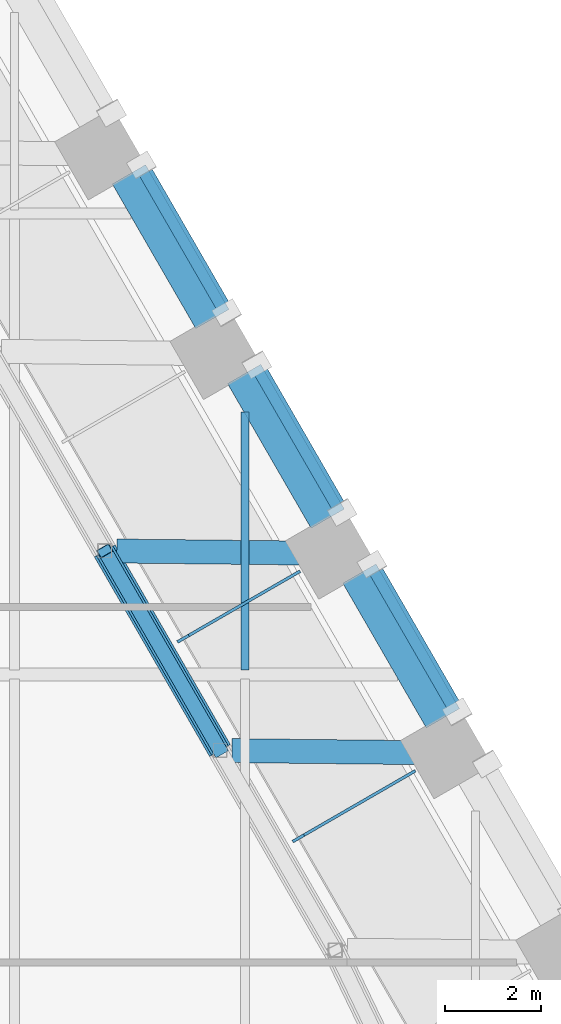
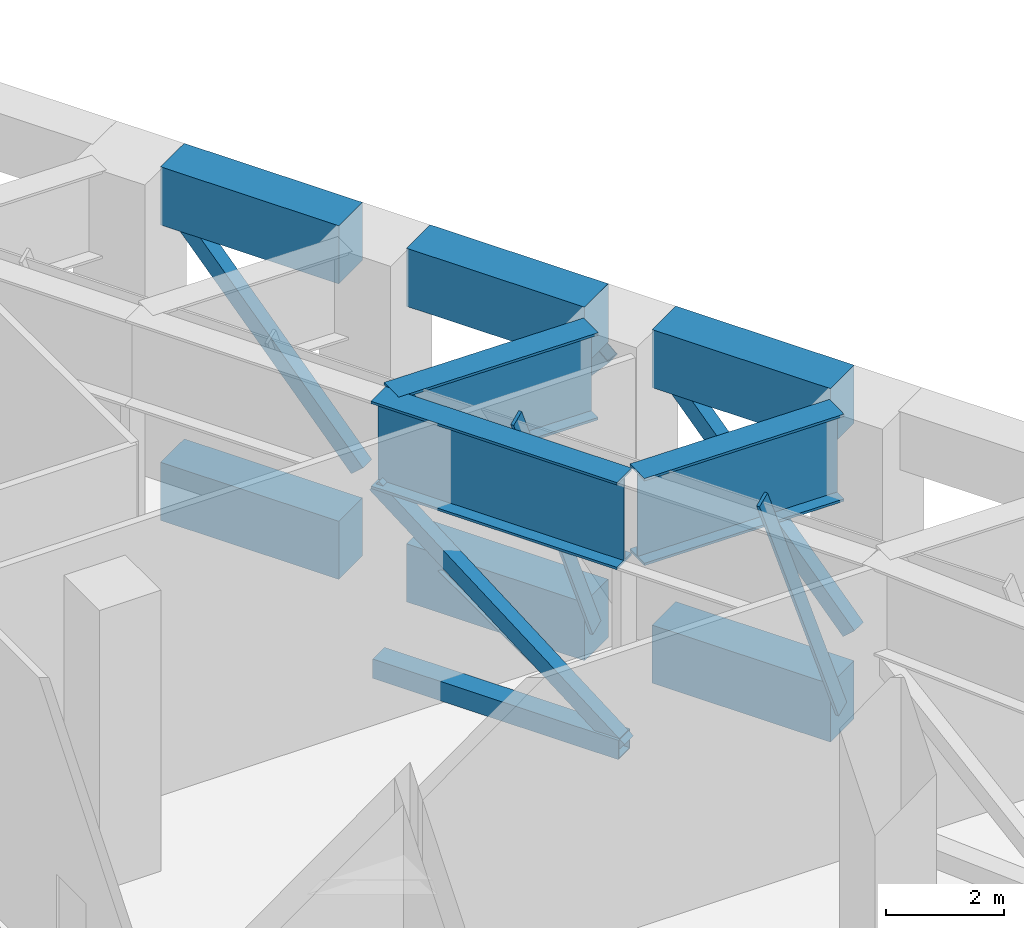
# One storey, part 13 of 35: 10 beams, 7 members, 1 element without a shape of its own.
"""IFC4 building model written with IfcOpenShell, lengths in metres."""

import ifcopenshell
import ifcopenshell.guid

model = None  # the IFC model being written
_history = None  # IfcOwnerHistory: only IFC2X3 demands one
_inside = {}  # id of a spatial element -> (the spatial element, [elements in it])
_under = {}  # id of a project, library or spatial element -> (it, [spatial elements below it])
_declared = {}  # id of a project -> (the project, [libraries it declares])
_typed = {}  # id of a type object -> (the type object, [elements of that type])
_made_of = {}  # id of a material, layer set ... -> (it, [elements and type objects made of it])


def new_model(schema):
    """Start an empty IFC model of exactly this schema.

    Asked for "IFC4X3", IfcOpenShell would pick the latest addendum, in which some entities
    have other attributes; the version numbers below select the first issue.
    IFC2X3 requires an IfcOwnerHistory on every rooted entity: one is made here for all.
    """
    global model, _history
    if schema == "IFC4X3":
        model = ifcopenshell.file(schema_version=(4, 3, 0, 0))
    else:
        model = ifcopenshell.file(schema=schema)
    _inside.clear()
    _under.clear()
    _declared.clear()
    _typed.clear()
    _made_of.clear()
    _history = None
    if model.schema == "IFC2X3":
        org = make("IfcOrganization", Name="unknown")
        user = make(
            "IfcPersonAndOrganization",
            ThePerson=make("IfcPerson", FamilyName="unknown"),
            TheOrganization=org,
        )
        app = make(
            "IfcApplication",
            ApplicationDeveloper=org,
            Version="unknown",
            ApplicationFullName="unknown",
            ApplicationIdentifier="unknown",
        )
        _history = make(
            "IfcOwnerHistory",
            OwningUser=user,
            OwningApplication=app,
            ChangeAction="ADDED",
            CreationDate=0,
        )
    return model


def make(cls, **values):
    """One entity of the class cls with the attributes given. An attribute that is None is left unset."""
    return model.create_entity(
        cls, **{name: value for name, value in values.items() if value is not None}
    )


def rooted(cls, **values):
    """An entity with a GlobalId (a new one), such as an element, a storey or a relation."""
    return make(cls, GlobalId=ifcopenshell.guid.new(), OwnerHistory=_history, **values)


def si_unit(unit_type, name, prefix=None):
    """IfcSIUnit, for example si_unit("LENGTHUNIT", "METRE", prefix="MILLI")."""
    return make("IfcSIUnit", UnitType=unit_type, Prefix=prefix, Name=name)


def assignment(units):
    """IfcUnitAssignment: the units of a project."""
    return None if units is None else make("IfcUnitAssignment", Units=units)


def point(xyz):
    """IfcCartesianPoint."""
    return None if xyz is None else make("IfcCartesianPoint", Coordinates=xyz)


def direction(xyz):
    """IfcDirection."""
    return None if xyz is None else make("IfcDirection", DirectionRatios=xyz)


def frame(location, z_axis=None, x_axis=None):
    """IfcAxis2Placement3D, a coordinate frame: its origin and axes. An axis left out is left unset."""
    return make(
        "IfcAxis2Placement3D",
        Location=point(location),
        Axis=direction(z_axis),
        RefDirection=direction(x_axis),
    )


def frame_2d(location, x_axis=None):
    """IfcAxis2Placement2D, a coordinate frame in the plane: its origin and x axis."""
    return make(
        "IfcAxis2Placement2D", Location=point(location), RefDirection=direction(x_axis)
    )


def origin():
    """The frame at (0, 0, 0) with its axes left unset."""
    return frame((0.0, 0.0, 0.0))


def origin_2d():
    """The frame at (0, 0) in the plane with its x axis left unset."""
    return frame_2d((0.0, 0.0))


def place(relative_to, where):
    """IfcLocalPlacement: puts the frame where relative to a parent placement (None: the world)."""
    return make(
        "IfcLocalPlacement", PlacementRelTo=relative_to, RelativePlacement=where
    )


def context(
    kind, dimensions, precision=None, world=None, true_north=None, identifier=None
):
    """IfcGeometricRepresentationContext, for example the 3D "Model" context."""
    return make(
        "IfcGeometricRepresentationContext",
        ContextIdentifier=identifier,
        ContextType=kind,
        CoordinateSpaceDimension=dimensions,
        Precision=precision,
        WorldCoordinateSystem=world,
        TrueNorth=true_north,
    )


def subcontext(parent, identifier, kind, view, scale=None):
    """IfcGeometricRepresentationSubContext, for example "Body" below "Model"."""
    return make(
        "IfcGeometricRepresentationSubContext",
        ContextIdentifier=identifier,
        ContextType=kind,
        ParentContext=parent,
        TargetScale=scale,
        TargetView=view,
    )


def project(units=None, contexts=None):
    """IfcProject with its units and contexts."""
    return rooted(
        "IfcProject",
        Name="project",
        RepresentationContexts=contexts,
        UnitsInContext=assignment(units),
    )


def spatial(cls, under=None, at=None, **own):
    """A site, building, storey or space (cls), placed at a placement, below another one or the project."""
    s = rooted(cls, ObjectPlacement=at, **own)
    if under is not None:
        _under.setdefault(under.id(), (under, []))[1].append(s)
    return s


def profile(cls, at=None, kind="AREA", **sizes):
    """A parametric profile (cls). Its sizes go by their IFC names, for example OverallWidth=200.0."""
    return make(cls, ProfileType=kind, Position=at, **sizes)


def rectangle(**sizes):
    """IfcRectangleProfileDef."""
    return profile("IfcRectangleProfileDef", **sizes)


def hollow_rectangle(**sizes):
    """IfcRectangleHollowProfileDef."""
    return profile("IfcRectangleHollowProfileDef", **sizes)


def i_section(**sizes):
    """IfcIShapeProfileDef."""
    return profile("IfcIShapeProfileDef", **sizes)


def extrude(swept, where, along, depth):
    """IfcExtrudedAreaSolid: the profile swept, set in the frame where, extruded along a direction by depth."""
    return make(
        "IfcExtrudedAreaSolid",
        SweptArea=swept,
        Position=where,
        ExtrudedDirection=direction(along),
        Depth=depth,
    )


def shape(context_of_items, identifier, shape_type, items):
    """IfcShapeRepresentation: the items that make up one representation, for example the "Body"."""
    return make(
        "IfcShapeRepresentation",
        ContextOfItems=context_of_items,
        RepresentationIdentifier=identifier,
        RepresentationType=shape_type,
        Items=items,
    )


def material(Name=None, Category=None):
    """IfcMaterial."""
    return make("IfcMaterial", Name=Name, Category=Category)


def material_profile(
    of_material, cross_section, Name=None, Category=None, Priority=None
):
    """IfcMaterialProfile: a cross section and its material."""
    return make(
        "IfcMaterialProfile",
        Name=Name,
        Material=of_material,
        Profile=cross_section,
        Priority=Priority,
        Category=Category,
    )


def profile_set(profiles, Name=None, composite=None):
    """IfcMaterialProfileSet."""
    return make(
        "IfcMaterialProfileSet",
        Name=Name,
        MaterialProfiles=profiles,
        CompositeProfile=composite,
    )


def made_of(thing, what):
    """Note that an element or type object is made of a material, layer set ...; save() writes the relation."""
    if what is not None:
        _made_of.setdefault(what.id(), (what, []))[1].append(thing)
    return thing


def type_object(cls, material=None, **own):
    """A type object (cls), such as IfcWallType, which elements share."""
    return made_of(rooted(cls, **own), material)


def element(
    cls,
    number,
    at=None,
    inside=None,
    cuts=None,
    type_object=None,
    material=None,
    context=None,
    identifier="Body",
    shape_type=None,
    held_by="IfcProductDefinitionShape",
    body=None,
    shapes=None,
    **own,
):
    """One element of the class cls, such as IfcWall. Its Tag is "e" and its number.

    at: its placement. inside: the storey or other place that contains it. cuts: it is an
    opening in that element (IfcRelVoidsElement). A single representation is given by context,
    identifier, shape_type and body (its items); several are given by shapes. held_by: the class
    of the entity that holds the representations. save() writes the other relations.
    """
    e = rooted(cls, Tag="e%d" % number, ObjectPlacement=at, **own)
    if body is not None:
        shapes = [shape(context, identifier, shape_type, body)]
    if shapes is not None:
        e.Representation = make(held_by, Representations=shapes)
    if inside is not None:
        _inside.setdefault(inside.id(), (inside, []))[1].append(e)
    if cuts is not None:
        rooted(
            "IfcRelVoidsElement", RelatingBuildingElement=cuts, RelatedOpeningElement=e
        )
    if type_object is not None:
        _typed.setdefault(type_object.id(), (type_object, []))[1].append(e)
    return made_of(e, material)


def aggregate(whole, parts):
    """IfcRelAggregates: a whole, such as a stair, and the parts it consists of."""
    return rooted("IfcRelAggregates", RelatingObject=whole, RelatedObjects=parts)


def save(model, path):
    """Write the relations noted so far, then the file.

    IfcRelAggregates (storeys below a building ...), IfcRelContainedInSpatialStructure (elements
    in a storey), IfcRelDefinesByType, IfcRelAssociatesMaterial and IfcRelDeclares: one each for
    every whole, place, type object, material and project.
    """
    for whole, parts in _under.values():
        aggregate(whole, parts)
    for where, things in _inside.values():
        rooted(
            "IfcRelContainedInSpatialStructure",
            RelatedElements=things,
            RelatingStructure=where,
        )
    for kind, things in _typed.values():
        rooted("IfcRelDefinesByType", RelatedObjects=things, RelatingType=kind)
    for what, things in _made_of.values():
        rooted("IfcRelAssociatesMaterial", RelatedObjects=things, RelatingMaterial=what)
    for by, libraries in _declared.values():
        rooted("IfcRelDeclares", RelatingContext=by, RelatedDefinitions=libraries)
    model.write(path)


model = new_model("IFC4")

# Units and contexts
model_context = context("Model", 3, precision=1e-05, world=origin(), true_north=direction((0.0, 1.0)))
body_context = subcontext(model_context, "Body", "Model", "MODEL_VIEW")
ifc_project = project(units=[si_unit("LENGTHUNIT", "METRE"), si_unit("AREAUNIT", "SQUARE_METRE"), si_unit("VOLUMEUNIT", "CUBIC_METRE"), si_unit("PLANEANGLEUNIT", "RADIAN"), si_unit("MASSUNIT", "GRAM", prefix="KILO")], contexts=[model_context])

# Site, building, storey
site_placement = place(None, origin())
site = spatial("IfcSite", under=ifc_project, at=site_placement, CompositionType="ELEMENT")
building_placement = place(site_placement, origin())
building = spatial("IfcBuilding", under=site, at=building_placement, Name="Kolab Exchange Tower", CompositionType="ELEMENT")
storey_placement = place(building_placement, frame((0.0, 0.0, 71.89990234375)))
storey = spatial("IfcBuildingStorey", under=building, at=storey_placement, Name="L13", CompositionType="ELEMENT", Elevation=71.89990234375)

# Members
ifc_material_1 = material(Name="Steel S355", Category="steel")
ifc_material_profile_1 = material_profile(ifc_material_1, hollow_rectangle(XDim=0.300048828125, YDim=0.300048828125, WallThickness=0.01611328125, at=origin_2d()), Name="HSS300X300X16")
ifc_profile_set_1 = profile_set([ifc_material_profile_1], Name="Steel S355")
member_type_1 = type_object("IfcMemberType", Name="BELT TRUSS BRACE HSS300X300X16", PredefinedType="BRACE", material=ifc_profile_set_1)
member_1_placement = place(storey_placement, frame((25.88037109375, 12.1708984375, 4.0), z_axis=(0.394029831617, -0.682447964901, -0.615634036582), x_axis=(0.866015339567, 0.500017431331, 0.0)))
element("IfcMember", 1, at=member_1_placement, inside=storey, type_object=member_type_1, Name="mem/L13/ring/d-F2-05", PredefinedType="BRACE", context=body_context, shape_type="SweptSolid", body=[
    extrude(hollow_rectangle(XDim=0.300048828125, YDim=0.300048828125, WallThickness=0.01611328125, at=origin_2d()), origin(), (0.0, 0.0, 1.0), 6.09130859375),
])
member_2_placement = place(storey_placement, frame((26.6513671875, 20.19775390625, 4.4501953125), z_axis=(0.328647954349, -0.569205172801, -0.753655089121), x_axis=(0.866014075672, 0.500019620354, 0.0)))
element("IfcMember", 2, at=member_2_placement, inside=storey, type_object=member_type_1, Name="mem/L13/fb/F2-04", PredefinedType="BRACE", context=body_context, shape_type="SweptSolid", body=[
    extrude(hollow_rectangle(XDim=0.300048828125, YDim=0.300048828125, WallThickness=0.01611328125, at=origin_2d()), origin(), (0.0, 0.0, 1.0), 5.373779296875),
])
member_3_placement = place(storey_placement, frame((29.05126953125, 16.041015625, 0.400146484375), z_axis=(0.328630956923, -0.569266591264, 0.753616110644), x_axis=(0.866048632561, 0.49995976442, 0.0)))
element("IfcMember", 3, at=member_3_placement, inside=storey, type_object=member_type_1, Name="mem/L13/fb/F2-05", PredefinedType="BRACE", context=body_context, shape_type="SweptSolid", body=[
    extrude(hollow_rectangle(XDim=0.300048828125, YDim=0.300048828125, WallThickness=0.01611328125, at=origin_2d()), origin(), (0.0, 0.0, 1.0), 5.374267578125),
])
member_4_placement = place(storey_placement, frame((31.451416015625, 11.884033203125, 4.4501953125), z_axis=(0.328639455646, -0.569235883224, -0.753635599904), x_axis=(0.866031355668, 0.499989690894, 0.0)))
element("IfcMember", 4, at=member_4_placement, inside=storey, type_object=member_type_1, Name="mem/L13/fb/F2-06", PredefinedType="BRACE", context=body_context, shape_type="SweptSolid", body=[
    extrude(hollow_rectangle(XDim=0.300048828125, YDim=0.300048828125, WallThickness=0.01611328125, at=origin_2d()), origin(), (0.0, 0.0, 1.0), 5.3740234375),
])
ifc_material_profile_2 = material_profile(ifc_material_1, hollow_rectangle(XDim=0.39990234375, YDim=0.39990234375, WallThickness=0.02001953125, at=origin_2d()), Name="HSS400X400X20")
ifc_profile_set_2 = profile_set([ifc_material_profile_2], Name="Steel S355")
member_type_2 = type_object("IfcMemberType", Name="BELT TRUSS CHORD HSS400X400X20", PredefinedType="CHORD", material=ifc_profile_set_2)
member_5_placement = place(storey_placement, frame((25.88037109375, 12.1708984375, 0.25), z_axis=(0.500017431331, -0.866015339567, 0.0), x_axis=(0.866015339567, 0.500017431331, 0.0)))
element("IfcMember", 5, at=member_5_placement, inside=storey, type_object=member_type_2, Name="mem/L13/ring/c-F2-05", PredefinedType="CHORD", context=body_context, shape_type="SweptSolid", body=[
    extrude(hollow_rectangle(XDim=0.39990234375, YDim=0.39990234375, WallThickness=0.02001953125, at=origin_2d()), origin(), (0.0, 0.0, 1.0), 4.800048828125),
])

# Beam
ifc_material_profile_3 = material_profile(ifc_material_1, i_section(OverallWidth=0.5, OverallDepth=1.800048828125, WebThickness=0.031982421875, FlangeThickness=0.050048828125, at=origin_2d()), Name="PG1800X500")
ifc_profile_set_3 = profile_set([ifc_material_profile_3], Name="Steel S355")
beam_type_1 = type_object("IfcBeamType", Name="BELT TRUSS GIRDER PG1800X500", PredefinedType="BEAM", material=ifc_profile_set_3)
beam_1_placement = place(storey_placement, frame((25.88037109375, 12.1708984375, 4.900146484375), z_axis=(0.500017431331, -0.866015339567, 0.0), x_axis=(0.866015339567, 0.500017431331, 0.0)))
element("IfcBeam", 6, at=beam_1_placement, inside=storey, type_object=beam_type_1, Name="beam/L13/bg/F2-run3", PredefinedType="BEAM", context=body_context, shape_type="SweptSolid", body=[
    extrude(i_section(OverallWidth=0.5, OverallDepth=1.800048828125, WebThickness=0.031982421875, FlangeThickness=0.050048828125, at=origin_2d()), origin(), (0.0, 0.0, 1.0), 4.800048828125),
])

# Curtain wall, members
ifc_material_2 = material(Name="Aluminium EN AW-6063 T6", Category="aluminium")
curtain_wall_type = type_object("IfcCurtainWallType", Name="CANTED BAND CURTAIN WALL", PredefinedType="NOTDEFINED", material=ifc_material_2)
curtain_wall_placement = place(storey_placement, origin())
curtain_wall = element("IfcCurtainWall", 7, at=curtain_wall_placement, inside=storey, type_object=curtain_wall_type, Name="band/L13/F2", PredefinedType="NOTDEFINED")
ifc_material_profile_4 = material_profile(ifc_material_2, rectangle(XDim=0.06005859375, YDim=0.300048828125, at=origin_2d()), Name="RECT 60X300")
ifc_profile_set_4 = profile_set([ifc_material_profile_4], Name="Aluminium EN AW-6063 T6")
member_type_3 = type_object("IfcMemberType", Name="CANTED BAND MULLION 60 X 300", PredefinedType="MULLION", material=ifc_profile_set_4)
member_6_placement = place(storey_placement, frame((29.831787109375, 11.6806640625, -0.099853515625), z_axis=(-0.355833859075, -0.205421357987, 0.911693111973), x_axis=(0.499964557259, -0.866045865693, 0.0)))
member_6 = element("IfcMember", 8, at=member_6_placement, type_object=member_type_3, Name="Band mullion", PredefinedType="MULLION", context=body_context, shape_type="SweptSolid", body=[
    extrude(rectangle(XDim=0.06005859375, YDim=0.300048828125, at=origin_2d()), origin(), (0.0, 0.0, 1.0), 6.515380859375),
])
member_7_placement = place(storey_placement, frame((32.231689453125, 7.52392578125, -0.099853515625), z_axis=(-0.35583111981, -0.205457248307, 0.911686093616), x_axis=(0.500032956655, -0.866006375415, 0.0)))
member_7 = element("IfcMember", 9, at=member_7_placement, type_object=member_type_3, Name="Band mullion", PredefinedType="MULLION", context=body_context, shape_type="SweptSolid", body=[
    extrude(rectangle(XDim=0.06005859375, YDim=0.300048828125, at=origin_2d()), origin(), (0.0, 0.0, 1.0), 6.515380859375),
])
aggregate(curtain_wall, [member_6, member_7])

# Beams
ifc_material_profile_5 = material_profile(ifc_material_1, i_section(OverallWidth=0.1650390625, OverallDepth=0.31005859375, WebThickness=0.005859375, FlangeThickness=0.009765625, at=origin_2d()), Name="W310X39")
ifc_profile_set_5 = profile_set([ifc_material_profile_5], Name="Steel S355")
beam_type_2 = type_object("IfcBeamType", Name="FLOOR BEAM W310X39", PredefinedType="BEAM", material=ifc_profile_set_5)
beam_2_placement = place(storey_placement, frame((28.800048828125, 9.693603515625, -0.454833984375), z_axis=(0.0, 1.0, 0.0), x_axis=(-1.0, 0.0, 0.0)))
element("IfcBeam", 10, at=beam_2_placement, inside=storey, type_object=beam_type_2, Name="beam/L13/fr/061", PredefinedType="BEAM", context=body_context, shape_type="SweptSolid", body=[
    extrude(i_section(OverallWidth=0.1650390625, OverallDepth=0.31005859375, WebThickness=0.005859375, FlangeThickness=0.009765625, at=origin_2d()), origin(), (0.0, 0.0, 1.0), 5.3740234375),
])
ifc_material_3 = material(Name="Concrete C80/95", Category="concrete")
ifc_material_profile_6 = material_profile(ifc_material_3, rectangle(XDim=0.800048828125, YDim=1.199951171875, at=origin_2d()), Name="RC800X1200")
ifc_profile_set_6 = profile_set([ifc_material_profile_6], Name="Concrete C80/95")
beam_type_3 = type_object("IfcBeamType", Name="SPANDREL BEAM 800X1200 C80/95", PredefinedType="BEAM", material=ifc_profile_set_6)
beam_3_placement = place(storey_placement, frame((26.383544921875, 20.012939453125, -0.89990234375), z_axis=(0.500009906705, -0.86601968407, 0.0), x_axis=(0.86601968407, 0.500009906705, 0.0)))
element("IfcBeam", 11, at=beam_3_placement, inside=storey, type_object=beam_type_3, Name="beam/L13/sp/F2-04", PredefinedType="BEAM", context=body_context, shape_type="SweptSolid", body=[
    extrude(rectangle(XDim=0.800048828125, YDim=1.199951171875, at=origin_2d()), origin(), (0.0, 0.0, 1.0), 3.47998046875),
])
for number, where, z_axis, x_axis, name in (
    (12, (28.78369140625, 15.856201171875, -0.89990234375), (0.499979528911, -0.866037222451, 0.0), (0.866037222451, 0.499979528911, 0.0), "beam/L13/sp/F2-05"),
    (13, (31.18359375, 11.69921875, -0.89990234375), (0.499979528911, -0.866037222451, 0.0), (0.866037222451, 0.499979528911, 0.0), "beam/L13/sp/F2-06"),
):
    element("IfcBeam", number, at=place(storey_placement, frame(where, z_axis=z_axis, x_axis=x_axis)), inside=storey, type_object=beam_type_3, Name=name, PredefinedType="BEAM", context=body_context, shape_type="SweptSolid", body=[
        extrude(rectangle(XDim=0.800048828125, YDim=1.199951171875, at=origin_2d()), origin(), (0.0, 0.0, 1.0), 3.480224609375),
    ])
beam_4_placement = place(storey_placement, frame((26.383544921875, 20.012939453125, 5.2001953125), z_axis=(0.500009906705, -0.86601968407, 0.0), x_axis=(0.86601968407, 0.500009906705, 0.0)))
element("IfcBeam", 14, at=beam_4_placement, inside=storey, type_object=beam_type_3, Name="beam/L13/cp/F2-04", PredefinedType="BEAM", context=body_context, shape_type="SweptSolid", body=[
    extrude(rectangle(XDim=0.800048828125, YDim=1.199951171875, at=origin_2d()), origin(), (0.0, 0.0, 1.0), 3.47998046875),
])
for number, where, z_axis, x_axis, name in (
    (15, (28.78369140625, 15.856201171875, 5.2001953125), (0.499979528911, -0.866037222451, 0.0), (0.866037222451, 0.499979528911, 0.0), "beam/L13/cp/F2-05"),
    (16, (31.18359375, 11.69921875, 5.2001953125), (0.499979528911, -0.866037222451, 0.0), (0.866037222451, 0.499979528911, 0.0), "beam/L13/cp/F2-06"),
):
    element("IfcBeam", number, at=place(storey_placement, frame(where, z_axis=z_axis, x_axis=x_axis)), inside=storey, type_object=beam_type_3, Name=name, PredefinedType="BEAM", context=body_context, shape_type="SweptSolid", body=[
        extrude(rectangle(XDim=0.800048828125, YDim=1.199951171875, at=origin_2d()), origin(), (0.0, 0.0, 1.0), 3.480224609375),
    ])
ifc_material_profile_7 = material_profile(ifc_material_1, i_section(OverallWidth=0.5, OverallDepth=1.800048828125, WebThickness=0.031982421875, FlangeThickness=0.050048828125, at=origin_2d()), Name="PG1800X500")
ifc_profile_set_7 = profile_set([ifc_material_profile_7], Name="Steel S355")
beam_type_4 = type_object("IfcBeamType", Name="TRANSFER GIRDER PG1800X500", PredefinedType="BEAM", material=ifc_profile_set_7)
beam_5_placement = place(storey_placement, frame((26.13037109375, 12.168212890625, 4.900146484375), z_axis=(0.999943275385, -0.010651103841, 0.0), x_axis=(0.010651103841, 0.999943275385, 0.0)))
element("IfcBeam", 17, at=beam_5_placement, inside=storey, type_object=beam_type_4, Name="beam/L13/tg/F2-05", PredefinedType="BEAM", context=body_context, shape_type="SweptSolid", body=[
    extrude(i_section(OverallWidth=0.5, OverallDepth=1.800048828125, WebThickness=0.031982421875, FlangeThickness=0.050048828125, at=origin_2d()), origin(), (0.0, 0.0, 1.0), 3.873779296875),
])
beam_6_placement = place(storey_placement, frame((28.530517578125, 8.01123046875, 4.900146484375), z_axis=(0.999943937573, -0.010588753956, 0.0), x_axis=(0.010588753956, 0.999943937573, 0.0)))
element("IfcBeam", 18, at=beam_6_placement, inside=storey, type_object=beam_type_4, Name="beam/L13/tg/F2-06", PredefinedType="BEAM", context=body_context, shape_type="SweptSolid", body=[
    extrude(i_section(OverallWidth=0.5, OverallDepth=1.800048828125, WebThickness=0.031982421875, FlangeThickness=0.050048828125, at=origin_2d()), origin(), (0.0, 0.0, 1.0), 3.87353515625),
])

save(model, "model.ifc")
